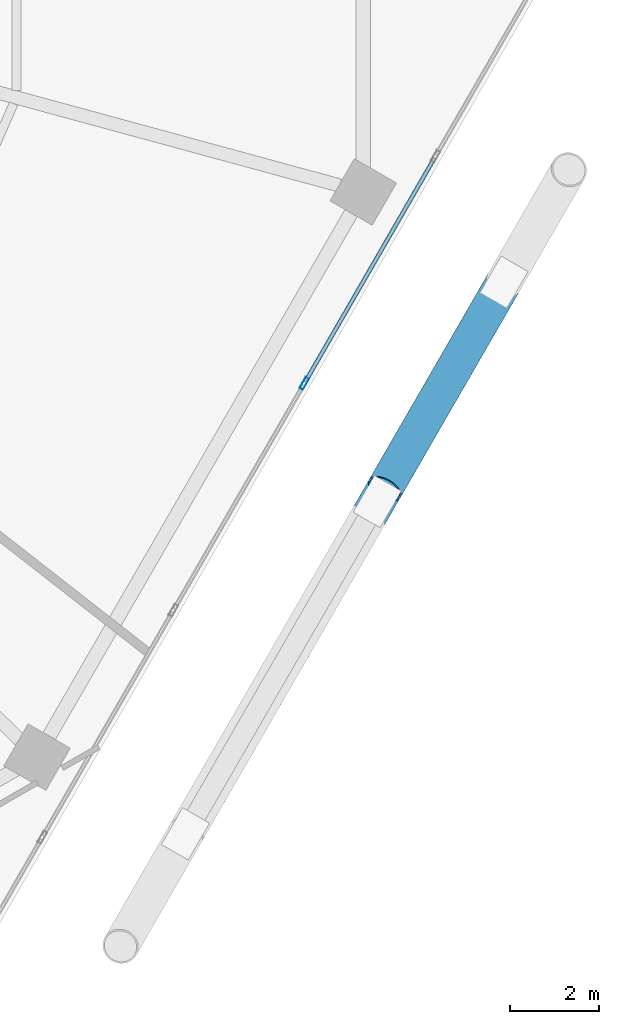
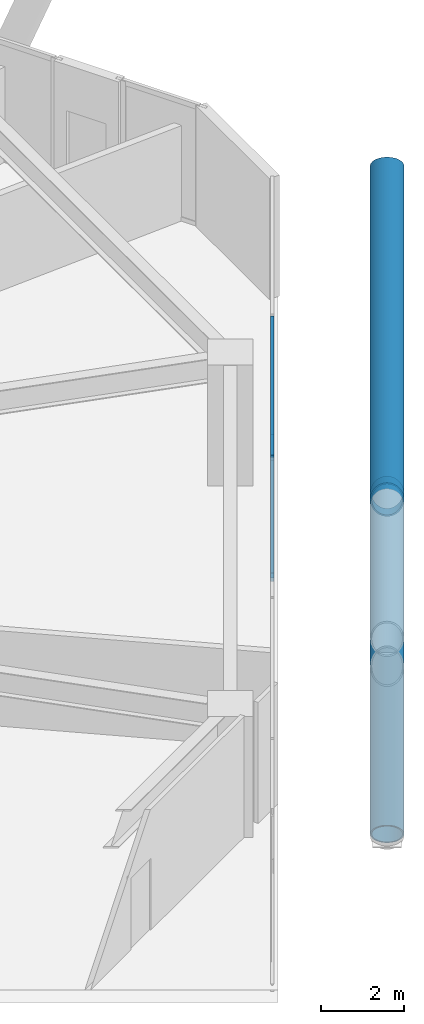
# One storey, part 11 of 34: 5 members, 1 element without a shape of its own.
"""IFC4 building model written with IfcOpenShell, lengths in metres."""

from ifc_helpers import new_model, si_unit, direction, frame, origin, origin_2d, place, context, subcontext, project, spatial, hollow_rectangle, hollow_circle, extrude, material, material_profile, profile_set, type_object, element, aggregate, save


model = new_model("IFC4")

# Units and contexts
model_context = context("Model", 3, precision=1e-05, world=origin(), true_north=direction((0.0, 1.0)))
body_context = subcontext(model_context, "Body", "Model", "MODEL_VIEW")
ifc_project = project(units=[si_unit("LENGTHUNIT", "METRE"), si_unit("AREAUNIT", "SQUARE_METRE"), si_unit("VOLUMEUNIT", "CUBIC_METRE"), si_unit("PLANEANGLEUNIT", "RADIAN"), si_unit("MASSUNIT", "GRAM", prefix="KILO")], contexts=[model_context])

# Site, building, storey
site_placement = place(None, origin())
site = spatial("IfcSite", under=ifc_project, at=site_placement, CompositionType="ELEMENT")
building_placement = place(site_placement, origin())
building = spatial("IfcBuilding", under=site, at=building_placement, Name="Zuhravey Tower", CompositionType="ELEMENT")
storey_placement = place(building_placement, frame((0.0, 0.0, 100.0)))
storey = spatial("IfcBuildingStorey", under=building, at=storey_placement, Name="L24", CompositionType="ELEMENT", Elevation=100.0)

# Curtain wall, members
ifc_material_1 = material(Name="Thermally broken anodised aluminium", Category="aluminium")
curtain_wall_type = type_object("IfcCurtainWallType", Name="Zone 1-2 Residential Curtain Wall CW3", PredefinedType="NOTDEFINED", material=ifc_material_1)
curtain_wall_placement = place(storey_placement, origin())
curtain_wall = element("IfcCurtainWall", 1, at=curtain_wall_placement, inside=storey, type_object=curtain_wall_type, Name="L24 CW3 CW-L24-F6-1", PredefinedType="NOTDEFINED")
ifc_material_2 = material(Name="Anodised aluminium", Category="aluminium")
ifc_material_profile_1 = material_profile(ifc_material_2, hollow_rectangle(XDim=0.090087890625, YDim=0.284912109375, WallThickness=0.0048828125, at=origin_2d()), Name="ALU-RHS-90x285x5")
ifc_profile_set_1 = profile_set([ifc_material_profile_1], Name="Anodised aluminium")
member_type_1 = type_object("IfcMemberType", Name="Curtain-Wall Mullion 90x180", PredefinedType="MULLION", material=ifc_profile_set_1)
member_1_placement = place(storey_placement, frame((62.55859375, 20.083984375, 0.0), z_axis=(0.0, 0.0, 1.0), x_axis=(0.86602552265, -0.499999794119, 0.0)))
member_1 = element("IfcMember", 2, at=member_1_placement, type_object=member_type_1, Name="CW3 mullion 3", PredefinedType="MULLION", context=body_context, shape_type="SweptSolid", body=[
    extrude(hollow_rectangle(XDim=0.090087890625, YDim=0.284912109375, WallThickness=0.0048828125, at=origin_2d()), origin(), (0.0, 0.0, 1.0), 3.550048828125),
])
ifc_material_profile_2 = material_profile(ifc_material_2, hollow_rectangle(XDim=0.090087890625, YDim=0.14990234375, WallThickness=0.0048828125, at=origin_2d()), Name="ALU-RHS-90x150x5")
ifc_profile_set_2 = profile_set([ifc_material_profile_2], Name="Anodised aluminium")
member_type_2 = type_object("IfcMemberType", Name="Curtain-Wall Transom 90x150", PredefinedType="USERDEFINED", material=ifc_profile_set_2)
member_2_placement = place(storey_placement, frame((65.49609375, 25.171875, 0.044921875), z_axis=(-0.499981042766, -0.866036348472, 0.0), x_axis=(0.866036348472, -0.499981042766, 0.0)))
member_2 = element("IfcMember", 3, at=member_2_placement, type_object=member_type_2, Name="CW3 transom 2.1", ObjectType="TRANSOM", PredefinedType="USERDEFINED", context=body_context, shape_type="SweptSolid", body=[
    extrude(hollow_rectangle(XDim=0.090087890625, YDim=0.14990234375, WallThickness=0.0048828125, at=origin_2d()), origin(), (0.0, 0.0, 1.0), 5.829833984375),
])
member_3_placement = place(storey_placement, frame((65.49609375, 25.171875, 3.5048828125), z_axis=(-0.499981042766, -0.866036348472, 0.0), x_axis=(0.866036348472, -0.499981042766, 0.0)))
member_3 = element("IfcMember", 4, at=member_3_placement, type_object=member_type_2, Name="CW3 transom 2.2", ObjectType="TRANSOM", PredefinedType="USERDEFINED", context=body_context, shape_type="SweptSolid", body=[
    extrude(hollow_rectangle(XDim=0.090087890625, YDim=0.14990234375, WallThickness=0.0048828125, at=origin_2d()), origin(), (0.0, 0.0, 1.0), 5.829833984375),
])
aggregate(curtain_wall, [member_1, member_2, member_3])

# Members
ifc_material_3 = material(Name="Steel SM460", Category="steel")
ifc_material_profile_3 = material_profile(ifc_material_3, hollow_circle(Radius=0.406494140625, WallThickness=0.035888671875, at=origin_2d()), Name="CHS-812.8x36")
ifc_profile_set_3 = profile_set([ifc_material_profile_3], Name="Steel SM460")
member_type_3 = type_object("IfcMemberType", Name="Exoskeleton Zone 1 Diagrid CHS813x36", PredefinedType="BRACE", material=ifc_profile_set_3)
member_4_placement = place(storey_placement, frame((59.897216796875, 9.9541015625, -0.44189453125), z_axis=(0.457899571463, 0.793119897067, 0.401607782957), x_axis=(-0.866029382339, 0.499993108878, 0.0)))
element("IfcMember", 5, at=member_4_placement, inside=storey, type_object=member_type_3, Name="L24 Face 6 Diagrid Brace 2", PredefinedType="BRACE", context=body_context, shape_type="SweptSolid", body=[
    extrude(hollow_circle(Radius=0.406494140625, WallThickness=0.035888671875, at=origin_2d()), origin(), (0.0, 0.0, 1.0), 18.814208984375),
])
member_5_placement = place(storey_placement, frame((67.04296875, 22.331298828125, -0.43359375), z_axis=(-0.416513083029, -0.721451330682, 0.553195109453), x_axis=(0.866034259299, -0.499984661485, 0.0)))
element("IfcMember", 6, at=member_5_placement, inside=storey, type_object=member_type_3, Name="L24 Face 6 Split Diagrid Brace 3A", PredefinedType="BRACE", context=body_context, shape_type="SweptSolid", body=[
    extrude(hollow_circle(Radius=0.406494140625, WallThickness=0.035888671875, at=origin_2d()), origin(), (0.0, 0.0, 1.0), 6.417724609375),
])

save(model, "model.ifc")
